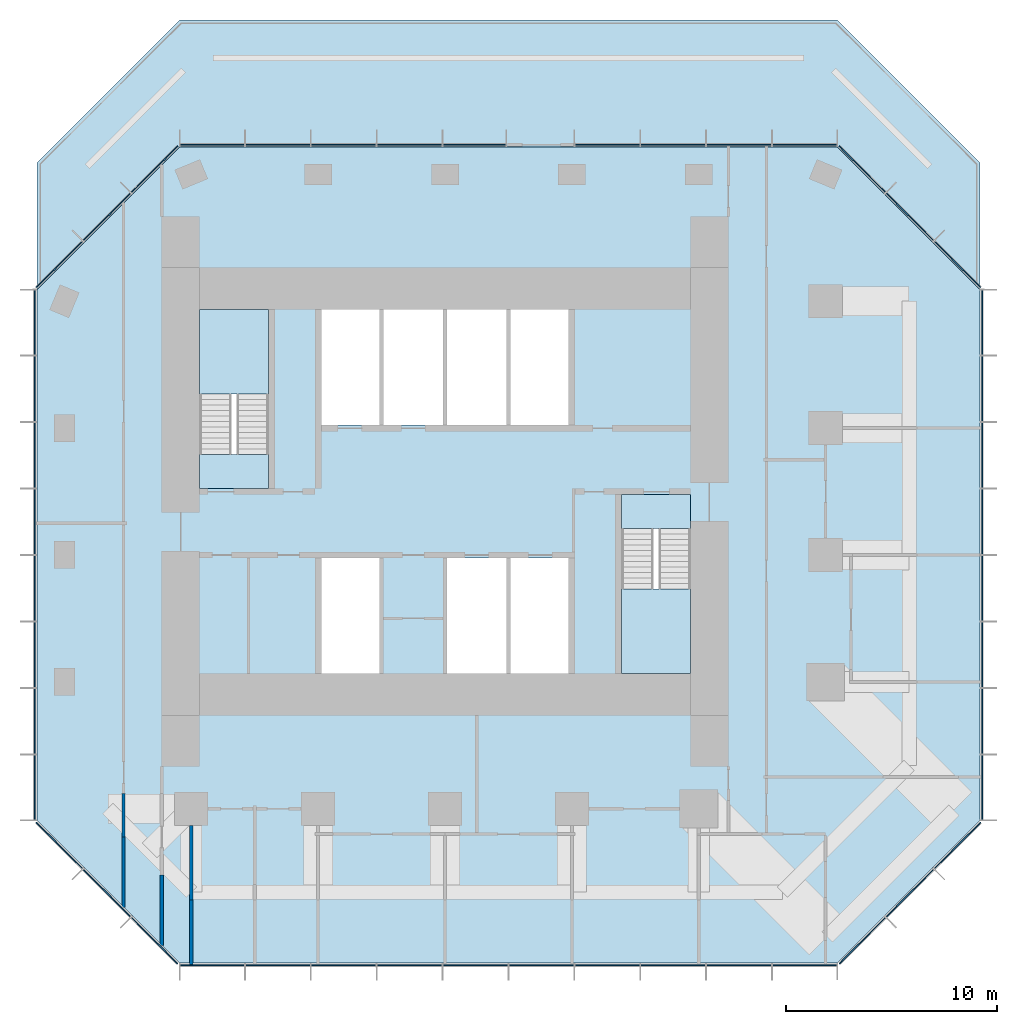
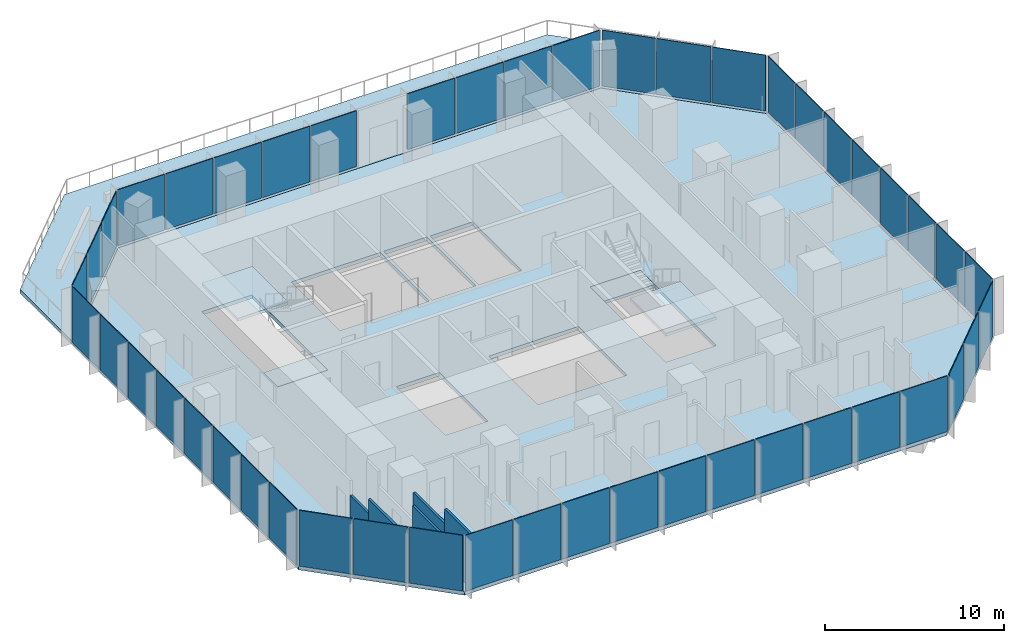
# One storey, part 7 of 11: 47 plates, 6 slabs, 5 walls, 11 elements without a shape of their own.
"""IFC4 building model written with IfcOpenShell, lengths in metres."""

from ifc_helpers import new_model, si_unit, direction, frame, frame_2d, origin, origin_2d, place, context, subcontext, project, spatial, polyline, rectangle, outline, extrude, material, layer, layer_set, type_object, element, aggregate, save


model = new_model("IFC4")

# Units and contexts
model_context = context("Model", 3, precision=1e-05, world=origin(), true_north=direction((0.0, 1.0)))
body_context = subcontext(model_context, "Body", "Model", "MODEL_VIEW")
ifc_project = project(units=[si_unit("LENGTHUNIT", "METRE"), si_unit("AREAUNIT", "SQUARE_METRE"), si_unit("VOLUMEUNIT", "CUBIC_METRE"), si_unit("PLANEANGLEUNIT", "RADIAN"), si_unit("MASSUNIT", "GRAM", prefix="KILO")], contexts=[model_context])

# Site, building, storey
site_placement = place(None, origin())
site = spatial("IfcSite", under=ifc_project, at=site_placement, CompositionType="ELEMENT")
building_placement = place(site_placement, origin())
building = spatial("IfcBuilding", under=site, at=building_placement, Name="Highveld Stack Headquarters", CompositionType="ELEMENT")
storey_placement = place(building_placement, frame((0.0, 0.0, 268.39990234375)))
storey = spatial("IfcBuildingStorey", under=building, at=storey_placement, Name="L66", CompositionType="ELEMENT", Elevation=268.39990234375)

# Curtain wall, plates
ifc_material_1 = material(Name="Aluminium bronze anodised", Category="aluminium")
ifc_layer_1 = layer(ifc_material_1, 0.199951171875)
ifc_layer_set_1 = layer_set([ifc_layer_1], Name="Aluminium bronze anodised")
curtain_wall_type = type_object("IfcCurtainWallType", Name="CW5 EXECUTIVE UNITISED CURTAIN WALL", PredefinedType="NOTDEFINED", material=ifc_layer_set_1)
curtain_wall_1_placement = place(storey_placement, origin())
curtain_wall_1 = element("IfcCurtainWall", 1, at=curtain_wall_1_placement, inside=storey, type_object=curtain_wall_type, Name="Curtain wall CW5 L66 S", PredefinedType="NOTDEFINED")
ifc_material_2 = material(Name="Glass bronze tinted triple glazed unit", Category="glass")
ifc_layer_2 = layer(ifc_material_2, 0.050048828125)
ifc_layer_set_2 = layer_set([ifc_layer_2], Name="Glass bronze tinted triple glazed unit")
plate_type = type_object("IfcPlateType", Name="CW5 PANEL BRONZE TINTED TRIPLE GLAZED UNIT", PredefinedType="CURTAIN_PANEL", material=ifc_layer_set_2)
plate_1_placement = place(storey_placement, frame((-5.005615234375, -19.39990234375, 0.10009765625), z_axis=(0.0, 0.0, 1.0), x_axis=(1.0, 0.0, 0.0)))
plate_1 = element("IfcPlate", 2, at=plate_1_placement, type_object=plate_type, Name="CW5 panel L66 1.1", PredefinedType="CURTAIN_PANEL", context=body_context, shape_type="SweptSolid", body=[
    extrude(rectangle(XDim=3.0185546875, YDim=0.050048828125, at=origin_2d()), origin(), (0.0, 0.0, 1.0), 3.800048828125),
])
plate_2_placement = place(storey_placement, frame((-1.906005859375, -19.39990234375, 0.10009765625), z_axis=(0.0, 0.0, 1.0), x_axis=(1.0, 0.0, 0.0)))
plate_2 = element("IfcPlate", 3, at=plate_2_placement, type_object=plate_type, Name="CW5 panel L66 2.1", PredefinedType="CURTAIN_PANEL", context=body_context, shape_type="SweptSolid", body=[
    extrude(rectangle(XDim=3.051025390625, YDim=0.050048828125, at=origin_2d()), origin(), (0.0, 0.0, 1.0), 3.800048828125),
])
plate_3_placement = place(storey_placement, frame((1.2099609375, -19.39990234375, 0.10009765625), z_axis=(0.0, 0.0, 1.0), x_axis=(1.0, 0.0, 0.0)))
plate_3 = element("IfcPlate", 4, at=plate_3_placement, type_object=plate_type, Name="CW5 panel L66 3.1", PredefinedType="CURTAIN_PANEL", context=body_context, shape_type="SweptSolid", body=[
    extrude(rectangle(XDim=3.051025390625, YDim=0.050048828125, at=origin_2d()), origin(), (0.0, 0.0, 1.0), 3.800048828125),
])
plate_4_placement = place(storey_placement, frame((4.325927734375, -19.39990234375, 0.10009765625), z_axis=(0.0, 0.0, 1.0), x_axis=(1.0, 0.0, 0.0)))
plate_4 = element("IfcPlate", 5, at=plate_4_placement, type_object=plate_type, Name="CW5 panel L66 4.1", PredefinedType="CURTAIN_PANEL", context=body_context, shape_type="SweptSolid", body=[
    extrude(rectangle(XDim=3.051025390625, YDim=0.050048828125, at=origin_2d()), origin(), (0.0, 0.0, 1.0), 3.800048828125),
])
plate_5_placement = place(storey_placement, frame((7.44189453125, -19.39990234375, 0.10009765625), z_axis=(0.0, 0.0, 1.0), x_axis=(1.0, 0.0, 0.0)))
plate_5 = element("IfcPlate", 6, at=plate_5_placement, type_object=plate_type, Name="CW5 panel L66 5.1", PredefinedType="CURTAIN_PANEL", context=body_context, shape_type="SweptSolid", body=[
    extrude(rectangle(XDim=3.051025390625, YDim=0.050048828125, at=origin_2d()), origin(), (0.0, 0.0, 1.0), 3.800048828125),
])
plate_6_placement = place(storey_placement, frame((10.55810546875, -19.39990234375, 0.10009765625), z_axis=(0.0, 0.0, 1.0), x_axis=(1.0, 0.0, 0.0)))
plate_6 = element("IfcPlate", 7, at=plate_6_placement, type_object=plate_type, Name="CW5 panel L66 6.1", PredefinedType="CURTAIN_PANEL", context=body_context, shape_type="SweptSolid", body=[
    extrude(rectangle(XDim=3.051025390625, YDim=0.050048828125, at=origin_2d()), origin(), (0.0, 0.0, 1.0), 3.800048828125),
])
plate_7_placement = place(storey_placement, frame((13.674072265625, -19.39990234375, 0.10009765625), z_axis=(0.0, 0.0, 1.0), x_axis=(1.0, 0.0, 0.0)))
plate_7 = element("IfcPlate", 8, at=plate_7_placement, type_object=plate_type, Name="CW5 panel L66 7.1", PredefinedType="CURTAIN_PANEL", context=body_context, shape_type="SweptSolid", body=[
    extrude(rectangle(XDim=3.051025390625, YDim=0.050048828125, at=origin_2d()), origin(), (0.0, 0.0, 1.0), 3.800048828125),
])
plate_8_placement = place(storey_placement, frame((16.789794921875, -19.39990234375, 0.10009765625), z_axis=(0.0, 0.0, 1.0), x_axis=(1.0, 0.0, 0.0)))
plate_8 = element("IfcPlate", 9, at=plate_8_placement, type_object=plate_type, Name="CW5 panel L66 8.1", PredefinedType="CURTAIN_PANEL", context=body_context, shape_type="SweptSolid", body=[
    extrude(rectangle(XDim=3.051025390625, YDim=0.050048828125, at=origin_2d()), origin(), (0.0, 0.0, 1.0), 3.800048828125),
])
plate_9_placement = place(storey_placement, frame((19.906005859375, -19.39990234375, 0.10009765625), z_axis=(0.0, 0.0, 1.0), x_axis=(1.0, 0.0, 0.0)))
plate_9 = element("IfcPlate", 10, at=plate_9_placement, type_object=plate_type, Name="CW5 panel L66 9.1", PredefinedType="CURTAIN_PANEL", context=body_context, shape_type="SweptSolid", body=[
    extrude(rectangle(XDim=3.051025390625, YDim=0.050048828125, at=origin_2d()), origin(), (0.0, 0.0, 1.0), 3.800048828125),
])
plate_10_placement = place(storey_placement, frame((23.005615234375, -19.39990234375, 0.10009765625), z_axis=(0.0, 0.0, 1.0), x_axis=(1.0, 0.0, 0.0)))
plate_10 = element("IfcPlate", 11, at=plate_10_placement, type_object=plate_type, Name="CW5 panel L66 10.1", PredefinedType="CURTAIN_PANEL", context=body_context, shape_type="SweptSolid", body=[
    extrude(rectangle(XDim=3.0185546875, YDim=0.050048828125, at=origin_2d()), origin(), (0.0, 0.0, 1.0), 3.800048828125),
])
aggregate(curtain_wall_1, [plate_1, plate_2, plate_3, plate_4, plate_5, plate_6, plate_7, plate_8, plate_9, plate_10])

curtain_wall_2_placement = place(storey_placement, origin())
curtain_wall_2 = element("IfcCurtainWall", 12, at=curtain_wall_2_placement, inside=storey, type_object=curtain_wall_type, Name="Curtain wall CW5 L66 SE", PredefinedType="NOTDEFINED")
plate_11_placement = place(storey_placement, frame((25.740478515625, -18.239501953125, 0.10009765625), z_axis=(0.0, 0.0, 1.0), x_axis=(0.707106781187, 0.707106781187, 0.0)))
plate_11 = element("IfcPlate", 13, at=plate_11_placement, type_object=plate_type, Name="CW5 panel L66 1.1", PredefinedType="CURTAIN_PANEL", context=body_context, shape_type="SweptSolid", body=[
    extrude(rectangle(XDim=3.08251953125, YDim=0.050048828125, at=origin_2d()), origin(), (0.0, 0.0, 1.0), 3.800048828125),
])
plate_12_placement = place(storey_placement, frame((27.989990234375, -15.989990234375, 0.10009765625), z_axis=(0.0, 0.0, 1.0), x_axis=(0.707106781187, 0.707106781187, 0.0)))
plate_12 = element("IfcPlate", 14, at=plate_12_placement, type_object=plate_type, Name="CW5 panel L66 2.1", PredefinedType="CURTAIN_PANEL", context=body_context, shape_type="SweptSolid", body=[
    extrude(rectangle(XDim=3.14990234375, YDim=0.050048828125, at=origin_2d()), origin(), (0.0, 0.0, 1.0), 3.800048828125),
])
plate_13_placement = place(storey_placement, frame((30.239501953125, -13.740478515625, 0.10009765625), z_axis=(0.0, 0.0, 1.0), x_axis=(0.707106781187, 0.707106781187, 0.0)))
plate_13 = element("IfcPlate", 15, at=plate_13_placement, type_object=plate_type, Name="CW5 panel L66 3.1", PredefinedType="CURTAIN_PANEL", context=body_context, shape_type="SweptSolid", body=[
    extrude(rectangle(XDim=3.08251953125, YDim=0.050048828125, at=origin_2d()), origin(), (0.0, 0.0, 1.0), 3.800048828125),
])
aggregate(curtain_wall_2, [plate_11, plate_12, plate_13])

curtain_wall_3_placement = place(storey_placement, origin())
curtain_wall_3 = element("IfcCurtainWall", 16, at=curtain_wall_3_placement, inside=storey, type_object=curtain_wall_type, Name="Curtain wall CW5 L66 E", PredefinedType="NOTDEFINED")
plate_14_placement = place(storey_placement, frame((31.39990234375, -10.9912109375, 0.10009765625), z_axis=(0.0, 0.0, 1.0), x_axis=(0.0, 1.0, 0.0)))
plate_14 = element("IfcPlate", 17, at=plate_14_placement, type_object=plate_type, Name="CW5 panel L66 1.1", PredefinedType="CURTAIN_PANEL", context=body_context, shape_type="SweptSolid", body=[
    extrude(rectangle(XDim=3.047607421875, YDim=0.050048828125, at=origin_2d()), origin(), (0.0, 0.0, 1.0), 3.800048828125),
])
plate_15_placement = place(storey_placement, frame((31.39990234375, -7.8623046875, 0.10009765625), z_axis=(0.0, 0.0, 1.0), x_axis=(0.0, 1.0, 0.0)))
plate_15 = element("IfcPlate", 18, at=plate_15_placement, type_object=plate_type, Name="CW5 panel L66 2.1", PredefinedType="CURTAIN_PANEL", context=body_context, shape_type="SweptSolid", body=[
    extrude(rectangle(XDim=3.080078125, YDim=0.050048828125, at=origin_2d()), origin(), (0.0, 0.0, 1.0), 3.800048828125),
])
plate_16_placement = place(storey_placement, frame((31.39990234375, -4.717529296875, 0.10009765625), z_axis=(0.0, 0.0, 1.0), x_axis=(0.0, 1.0, 0.0)))
plate_16 = element("IfcPlate", 19, at=plate_16_placement, type_object=plate_type, Name="CW5 panel L66 3.1", PredefinedType="CURTAIN_PANEL", context=body_context, shape_type="SweptSolid", body=[
    extrude(rectangle(XDim=3.080078125, YDim=0.050048828125, at=origin_2d()), origin(), (0.0, 0.0, 1.0), 3.800048828125),
])
plate_17_placement = place(storey_placement, frame((31.39990234375, -1.572509765625, 0.10009765625), z_axis=(0.0, 0.0, 1.0), x_axis=(0.0, 1.0, 0.0)))
plate_17 = element("IfcPlate", 20, at=plate_17_placement, type_object=plate_type, Name="CW5 panel L66 4.1", PredefinedType="CURTAIN_PANEL", context=body_context, shape_type="SweptSolid", body=[
    extrude(rectangle(XDim=3.080078125, YDim=0.050048828125, at=origin_2d()), origin(), (0.0, 0.0, 1.0), 3.800048828125),
])
plate_18_placement = place(storey_placement, frame((31.39990234375, 1.572509765625, 0.10009765625), z_axis=(0.0, 0.0, 1.0), x_axis=(0.0, 1.0, 0.0)))
plate_18 = element("IfcPlate", 21, at=plate_18_placement, type_object=plate_type, Name="CW5 panel L66 5.1", PredefinedType="CURTAIN_PANEL", context=body_context, shape_type="SweptSolid", body=[
    extrude(rectangle(XDim=3.080078125, YDim=0.050048828125, at=origin_2d()), origin(), (0.0, 0.0, 1.0), 3.800048828125),
])
plate_19_placement = place(storey_placement, frame((31.39990234375, 4.717529296875, 0.10009765625), z_axis=(0.0, 0.0, 1.0), x_axis=(0.0, 1.0, 0.0)))
plate_19 = element("IfcPlate", 22, at=plate_19_placement, type_object=plate_type, Name="CW5 panel L66 6.1", PredefinedType="CURTAIN_PANEL", context=body_context, shape_type="SweptSolid", body=[
    extrude(rectangle(XDim=3.080078125, YDim=0.050048828125, at=origin_2d()), origin(), (0.0, 0.0, 1.0), 3.800048828125),
])
plate_20_placement = place(storey_placement, frame((31.39990234375, 7.8623046875, 0.10009765625), z_axis=(0.0, 0.0, 1.0), x_axis=(0.0, 1.0, 0.0)))
plate_20 = element("IfcPlate", 23, at=plate_20_placement, type_object=plate_type, Name="CW5 panel L66 7.1", PredefinedType="CURTAIN_PANEL", context=body_context, shape_type="SweptSolid", body=[
    extrude(rectangle(XDim=3.080078125, YDim=0.050048828125, at=origin_2d()), origin(), (0.0, 0.0, 1.0), 3.800048828125),
])
plate_21_placement = place(storey_placement, frame((31.39990234375, 10.9912109375, 0.10009765625), z_axis=(0.0, 0.0, 1.0), x_axis=(0.0, 1.0, 0.0)))
plate_21 = element("IfcPlate", 24, at=plate_21_placement, type_object=plate_type, Name="CW5 panel L66 8.1", PredefinedType="CURTAIN_PANEL", context=body_context, shape_type="SweptSolid", body=[
    extrude(rectangle(XDim=3.047607421875, YDim=0.050048828125, at=origin_2d()), origin(), (0.0, 0.0, 1.0), 3.800048828125),
])
aggregate(curtain_wall_3, [plate_14, plate_15, plate_16, plate_17, plate_18, plate_19, plate_20, plate_21])

curtain_wall_4_placement = place(storey_placement, origin())
curtain_wall_4 = element("IfcCurtainWall", 25, at=curtain_wall_4_placement, inside=storey, type_object=curtain_wall_type, Name="Curtain wall CW5 L66 NE", PredefinedType="NOTDEFINED")
plate_22_placement = place(storey_placement, frame((30.239501953125, 13.740478515625, 0.10009765625), z_axis=(0.0, 0.0, 1.0), x_axis=(-0.707106781187, 0.707106781187, 0.0)))
plate_22 = element("IfcPlate", 26, at=plate_22_placement, type_object=plate_type, Name="CW5 panel L66 1.1", PredefinedType="CURTAIN_PANEL", context=body_context, shape_type="SweptSolid", body=[
    extrude(rectangle(XDim=3.08251953125, YDim=0.050048828125, at=origin_2d()), origin(), (0.0, 0.0, 1.0), 3.800048828125),
])
plate_23_placement = place(storey_placement, frame((27.989990234375, 15.989990234375, 0.10009765625), z_axis=(0.0, 0.0, 1.0), x_axis=(-0.707106781187, 0.707106781187, 0.0)))
plate_23 = element("IfcPlate", 27, at=plate_23_placement, type_object=plate_type, Name="CW5 panel L66 2.1", PredefinedType="CURTAIN_PANEL", context=body_context, shape_type="SweptSolid", body=[
    extrude(rectangle(XDim=3.14990234375, YDim=0.050048828125, at=origin_2d()), origin(), (0.0, 0.0, 1.0), 3.800048828125),
])
plate_24_placement = place(storey_placement, frame((25.740478515625, 18.239501953125, 0.10009765625), z_axis=(0.0, 0.0, 1.0), x_axis=(-0.707106781187, 0.707106781187, 0.0)))
plate_24 = element("IfcPlate", 28, at=plate_24_placement, type_object=plate_type, Name="CW5 panel L66 3.1", PredefinedType="CURTAIN_PANEL", context=body_context, shape_type="SweptSolid", body=[
    extrude(rectangle(XDim=3.08251953125, YDim=0.050048828125, at=origin_2d()), origin(), (0.0, 0.0, 1.0), 3.800048828125),
])
aggregate(curtain_wall_4, [plate_22, plate_23, plate_24])

curtain_wall_5_placement = place(storey_placement, origin())
curtain_wall_5 = element("IfcCurtainWall", 29, at=curtain_wall_5_placement, inside=storey, type_object=curtain_wall_type, Name="Curtain wall CW5 L66 N-1", PredefinedType="NOTDEFINED")
plate_25_placement = place(storey_placement, frame((23.005615234375, 19.39990234375, 0.10009765625), z_axis=(0.0, 0.0, 1.0), x_axis=(-1.0, 0.0, 0.0)))
plate_25 = element("IfcPlate", 30, at=plate_25_placement, type_object=plate_type, Name="CW5 panel L66 1.1", PredefinedType="CURTAIN_PANEL", context=body_context, shape_type="SweptSolid", body=[
    extrude(rectangle(XDim=3.0185546875, YDim=0.050048828125, at=origin_2d()), origin(), (0.0, 0.0, 1.0), 3.800048828125),
])
plate_26_placement = place(storey_placement, frame((19.906005859375, 19.39990234375, 0.10009765625), z_axis=(0.0, 0.0, 1.0), x_axis=(-1.0, 0.0, 0.0)))
plate_26 = element("IfcPlate", 31, at=plate_26_placement, type_object=plate_type, Name="CW5 panel L66 2.1", PredefinedType="CURTAIN_PANEL", context=body_context, shape_type="SweptSolid", body=[
    extrude(rectangle(XDim=3.051025390625, YDim=0.050048828125, at=origin_2d()), origin(), (0.0, 0.0, 1.0), 3.800048828125),
])
plate_27_placement = place(storey_placement, frame((16.7900390625, 19.39990234375, 0.10009765625), z_axis=(0.0, 0.0, 1.0), x_axis=(-1.0, 0.0, 0.0)))
plate_27 = element("IfcPlate", 32, at=plate_27_placement, type_object=plate_type, Name="CW5 panel L66 3.1", PredefinedType="CURTAIN_PANEL", context=body_context, shape_type="SweptSolid", body=[
    extrude(rectangle(XDim=3.051025390625, YDim=0.050048828125, at=origin_2d()), origin(), (0.0, 0.0, 1.0), 3.800048828125),
])
plate_28_placement = place(storey_placement, frame((13.674072265625, 19.39990234375, 0.10009765625), z_axis=(0.0, 0.0, 1.0), x_axis=(-1.0, 0.0, 0.0)))
plate_28 = element("IfcPlate", 33, at=plate_28_placement, type_object=plate_type, Name="CW5 panel L66 4.1", PredefinedType="CURTAIN_PANEL", context=body_context, shape_type="SweptSolid", body=[
    extrude(rectangle(XDim=3.051025390625, YDim=0.050048828125, at=origin_2d()), origin(), (0.0, 0.0, 1.0), 3.800048828125),
])
aggregate(curtain_wall_5, [plate_25, plate_26, plate_27, plate_28])

curtain_wall_6_placement = place(storey_placement, origin())
curtain_wall_6 = element("IfcCurtainWall", 34, at=curtain_wall_6_placement, inside=storey, type_object=curtain_wall_type, Name="Curtain wall CW5 L66 N-2", PredefinedType="NOTDEFINED")
plate_29_placement = place(storey_placement, frame((7.38818359375, 19.39990234375, 0.10009765625), z_axis=(0.0, 0.0, 1.0), x_axis=(-1.0, 0.0, 0.0)))
plate_29 = element("IfcPlate", 35, at=plate_29_placement, type_object=plate_type, Name="CW5 panel L66 6.1", PredefinedType="CURTAIN_PANEL", context=body_context, shape_type="SweptSolid", body=[
    extrude(rectangle(XDim=2.943603515625, YDim=0.050048828125, at=origin_2d()), origin(), (0.0, 0.0, 1.0), 3.800048828125),
])
plate_30_placement = place(storey_placement, frame((4.325927734375, 19.39990234375, 0.10009765625), z_axis=(0.0, 0.0, 1.0), x_axis=(-1.0, 0.0, 0.0)))
plate_30 = element("IfcPlate", 36, at=plate_30_placement, type_object=plate_type, Name="CW5 panel L66 7.1", PredefinedType="CURTAIN_PANEL", context=body_context, shape_type="SweptSolid", body=[
    extrude(rectangle(XDim=3.051025390625, YDim=0.050048828125, at=origin_2d()), origin(), (0.0, 0.0, 1.0), 3.800048828125),
])
plate_31_placement = place(storey_placement, frame((1.210205078125, 19.39990234375, 0.10009765625), z_axis=(0.0, 0.0, 1.0), x_axis=(-1.0, 0.0, 0.0)))
plate_31 = element("IfcPlate", 37, at=plate_31_placement, type_object=plate_type, Name="CW5 panel L66 8.1", PredefinedType="CURTAIN_PANEL", context=body_context, shape_type="SweptSolid", body=[
    extrude(rectangle(XDim=3.051025390625, YDim=0.050048828125, at=origin_2d()), origin(), (0.0, 0.0, 1.0), 3.800048828125),
])
plate_32_placement = place(storey_placement, frame((-1.906005859375, 19.39990234375, 0.10009765625), z_axis=(0.0, 0.0, 1.0), x_axis=(-1.0, 0.0, 0.0)))
plate_32 = element("IfcPlate", 38, at=plate_32_placement, type_object=plate_type, Name="CW5 panel L66 9.1", PredefinedType="CURTAIN_PANEL", context=body_context, shape_type="SweptSolid", body=[
    extrude(rectangle(XDim=3.051025390625, YDim=0.050048828125, at=origin_2d()), origin(), (0.0, 0.0, 1.0), 3.800048828125),
])
plate_33_placement = place(storey_placement, frame((-5.005615234375, 19.39990234375, 0.10009765625), z_axis=(0.0, 0.0, 1.0), x_axis=(-1.0, 0.0, 0.0)))
plate_33 = element("IfcPlate", 39, at=plate_33_placement, type_object=plate_type, Name="CW5 panel L66 10.1", PredefinedType="CURTAIN_PANEL", context=body_context, shape_type="SweptSolid", body=[
    extrude(rectangle(XDim=3.0185546875, YDim=0.050048828125, at=origin_2d()), origin(), (0.0, 0.0, 1.0), 3.800048828125),
])
aggregate(curtain_wall_6, [plate_29, plate_30, plate_31, plate_32, plate_33])

curtain_wall_7_placement = place(storey_placement, origin())
curtain_wall_7 = element("IfcCurtainWall", 40, at=curtain_wall_7_placement, inside=storey, type_object=curtain_wall_type, Name="Curtain wall CW5 L66 NW", PredefinedType="NOTDEFINED")
plate_34_placement = place(storey_placement, frame((-7.740478515625, 18.239501953125, 0.10009765625), z_axis=(0.0, 0.0, 1.0), x_axis=(-0.707106781187, -0.707106781187, 0.0)))
plate_34 = element("IfcPlate", 41, at=plate_34_placement, type_object=plate_type, Name="CW5 panel L66 1.1", PredefinedType="CURTAIN_PANEL", context=body_context, shape_type="SweptSolid", body=[
    extrude(rectangle(XDim=3.08251953125, YDim=0.050048828125, at=origin_2d()), origin(), (0.0, 0.0, 1.0), 3.800048828125),
])
plate_35_placement = place(storey_placement, frame((-9.989990234375, 15.989990234375, 0.10009765625), z_axis=(0.0, 0.0, 1.0), x_axis=(-0.707106781187, -0.707106781187, 0.0)))
plate_35 = element("IfcPlate", 42, at=plate_35_placement, type_object=plate_type, Name="CW5 panel L66 2.1", PredefinedType="CURTAIN_PANEL", context=body_context, shape_type="SweptSolid", body=[
    extrude(rectangle(XDim=3.14990234375, YDim=0.050048828125, at=origin_2d()), origin(), (0.0, 0.0, 1.0), 3.800048828125),
])
plate_36_placement = place(storey_placement, frame((-12.239501953125, 13.740478515625, 0.10009765625), z_axis=(0.0, 0.0, 1.0), x_axis=(-0.707106781187, -0.707106781187, 0.0)))
plate_36 = element("IfcPlate", 43, at=plate_36_placement, type_object=plate_type, Name="CW5 panel L66 3.1", PredefinedType="CURTAIN_PANEL", context=body_context, shape_type="SweptSolid", body=[
    extrude(rectangle(XDim=3.08251953125, YDim=0.050048828125, at=origin_2d()), origin(), (0.0, 0.0, 1.0), 3.800048828125),
])
aggregate(curtain_wall_7, [plate_34, plate_35, plate_36])

curtain_wall_8_placement = place(storey_placement, origin())
curtain_wall_8 = element("IfcCurtainWall", 44, at=curtain_wall_8_placement, inside=storey, type_object=curtain_wall_type, Name="Curtain wall CW5 L66 W", PredefinedType="NOTDEFINED")
plate_37_placement = place(storey_placement, frame((-13.39990234375, 10.9912109375, 0.10009765625), z_axis=(0.0, 0.0, 1.0), x_axis=(0.0, -1.0, 0.0)))
plate_37 = element("IfcPlate", 45, at=plate_37_placement, type_object=plate_type, Name="CW5 panel L66 1.1", PredefinedType="CURTAIN_PANEL", context=body_context, shape_type="SweptSolid", body=[
    extrude(rectangle(XDim=3.047607421875, YDim=0.050048828125, at=origin_2d()), origin(), (0.0, 0.0, 1.0), 3.800048828125),
])
plate_38_placement = place(storey_placement, frame((-13.39990234375, 7.8623046875, 0.10009765625), z_axis=(0.0, 0.0, 1.0), x_axis=(0.0, -1.0, 0.0)))
plate_38 = element("IfcPlate", 46, at=plate_38_placement, type_object=plate_type, Name="CW5 panel L66 2.1", PredefinedType="CURTAIN_PANEL", context=body_context, shape_type="SweptSolid", body=[
    extrude(rectangle(XDim=3.080078125, YDim=0.050048828125, at=origin_2d()), origin(), (0.0, 0.0, 1.0), 3.800048828125),
])
plate_39_placement = place(storey_placement, frame((-13.39990234375, 4.717529296875, 0.10009765625), z_axis=(0.0, 0.0, 1.0), x_axis=(0.0, -1.0, 0.0)))
plate_39 = element("IfcPlate", 47, at=plate_39_placement, type_object=plate_type, Name="CW5 panel L66 3.1", PredefinedType="CURTAIN_PANEL", context=body_context, shape_type="SweptSolid", body=[
    extrude(rectangle(XDim=3.080078125, YDim=0.050048828125, at=origin_2d()), origin(), (0.0, 0.0, 1.0), 3.800048828125),
])
plate_40_placement = place(storey_placement, frame((-13.39990234375, 1.572509765625, 0.10009765625), z_axis=(0.0, 0.0, 1.0), x_axis=(0.0, -1.0, 0.0)))
plate_40 = element("IfcPlate", 48, at=plate_40_placement, type_object=plate_type, Name="CW5 panel L66 4.1", PredefinedType="CURTAIN_PANEL", context=body_context, shape_type="SweptSolid", body=[
    extrude(rectangle(XDim=3.080078125, YDim=0.050048828125, at=origin_2d()), origin(), (0.0, 0.0, 1.0), 3.800048828125),
])
plate_41_placement = place(storey_placement, frame((-13.39990234375, -1.572509765625, 0.10009765625), z_axis=(0.0, 0.0, 1.0), x_axis=(0.0, -1.0, 0.0)))
plate_41 = element("IfcPlate", 49, at=plate_41_placement, type_object=plate_type, Name="CW5 panel L66 5.1", PredefinedType="CURTAIN_PANEL", context=body_context, shape_type="SweptSolid", body=[
    extrude(rectangle(XDim=3.080078125, YDim=0.050048828125, at=origin_2d()), origin(), (0.0, 0.0, 1.0), 3.800048828125),
])
plate_42_placement = place(storey_placement, frame((-13.39990234375, -4.717529296875, 0.10009765625), z_axis=(0.0, 0.0, 1.0), x_axis=(0.0, -1.0, 0.0)))
plate_42 = element("IfcPlate", 50, at=plate_42_placement, type_object=plate_type, Name="CW5 panel L66 6.1", PredefinedType="CURTAIN_PANEL", context=body_context, shape_type="SweptSolid", body=[
    extrude(rectangle(XDim=3.080078125, YDim=0.050048828125, at=origin_2d()), origin(), (0.0, 0.0, 1.0), 3.800048828125),
])
plate_43_placement = place(storey_placement, frame((-13.39990234375, -7.8623046875, 0.10009765625), z_axis=(0.0, 0.0, 1.0), x_axis=(0.0, -1.0, 0.0)))
plate_43 = element("IfcPlate", 51, at=plate_43_placement, type_object=plate_type, Name="CW5 panel L66 7.1", PredefinedType="CURTAIN_PANEL", context=body_context, shape_type="SweptSolid", body=[
    extrude(rectangle(XDim=3.080078125, YDim=0.050048828125, at=origin_2d()), origin(), (0.0, 0.0, 1.0), 3.800048828125),
])
plate_44_placement = place(storey_placement, frame((-13.39990234375, -10.9912109375, 0.10009765625), z_axis=(0.0, 0.0, 1.0), x_axis=(0.0, -1.0, 0.0)))
plate_44 = element("IfcPlate", 52, at=plate_44_placement, type_object=plate_type, Name="CW5 panel L66 8.1", PredefinedType="CURTAIN_PANEL", context=body_context, shape_type="SweptSolid", body=[
    extrude(rectangle(XDim=3.047607421875, YDim=0.050048828125, at=origin_2d()), origin(), (0.0, 0.0, 1.0), 3.800048828125),
])
aggregate(curtain_wall_8, [plate_37, plate_38, plate_39, plate_40, plate_41, plate_42, plate_43, plate_44])

curtain_wall_9_placement = place(storey_placement, origin())
curtain_wall_9 = element("IfcCurtainWall", 53, at=curtain_wall_9_placement, inside=storey, type_object=curtain_wall_type, Name="Curtain wall CW5 L66 SW", PredefinedType="NOTDEFINED")
plate_45_placement = place(storey_placement, frame((-12.239501953125, -13.740478515625, 0.10009765625), z_axis=(0.0, 0.0, 1.0), x_axis=(0.707106781187, -0.707106781187, 0.0)))
plate_45 = element("IfcPlate", 54, at=plate_45_placement, type_object=plate_type, Name="CW5 panel L66 1.1", PredefinedType="CURTAIN_PANEL", context=body_context, shape_type="SweptSolid", body=[
    extrude(rectangle(XDim=3.08251953125, YDim=0.050048828125, at=origin_2d()), origin(), (0.0, 0.0, 1.0), 3.800048828125),
])
plate_46_placement = place(storey_placement, frame((-9.989990234375, -15.989990234375, 0.10009765625), z_axis=(0.0, 0.0, 1.0), x_axis=(0.707106781187, -0.707106781187, 0.0)))
plate_46 = element("IfcPlate", 55, at=plate_46_placement, type_object=plate_type, Name="CW5 panel L66 2.1", PredefinedType="CURTAIN_PANEL", context=body_context, shape_type="SweptSolid", body=[
    extrude(rectangle(XDim=3.14990234375, YDim=0.050048828125, at=origin_2d()), origin(), (0.0, 0.0, 1.0), 3.800048828125),
])
plate_47_placement = place(storey_placement, frame((-7.740478515625, -18.239501953125, 0.10009765625), z_axis=(0.0, 0.0, 1.0), x_axis=(0.707106781187, -0.707106781187, 0.0)))
plate_47 = element("IfcPlate", 56, at=plate_47_placement, type_object=plate_type, Name="CW5 panel L66 3.1", PredefinedType="CURTAIN_PANEL", context=body_context, shape_type="SweptSolid", body=[
    extrude(rectangle(XDim=3.08251953125, YDim=0.050048828125, at=origin_2d()), origin(), (0.0, 0.0, 1.0), 3.800048828125),
])
aggregate(curtain_wall_9, [plate_45, plate_46, plate_47])

# Slab
ifc_material_3 = material(Name="Concrete C60/75", Category="concrete")
ifc_layer_3 = layer(ifc_material_3, 0.25)
ifc_layer_set_3 = layer_set([ifc_layer_3], Name="Concrete C60/75")
slab_type_1 = type_object("IfcSlabType", Name="PT FLAT SLAB 250", PredefinedType="FLOOR", material=ifc_layer_set_3)
slab_1_placement = place(storey_placement, frame((0.0, 0.0, -0.25)))
element("IfcSlab", 57, at=slab_1_placement, inside=storey, type_object=slab_type_1, Name="Floor slab L66", PredefinedType="FLOOR", context=body_context, shape_type="SweptSolid", body=[
    extrude(outline(polyline([(-6.53857421875, -19.300048828125), (24.53857421875, -19.300048828125), (31.300048828125, -12.53857421875), (31.300048828125, 12.53857421875), (24.53857421875, 19.300048828125), (-6.53857421875, 19.300048828125), (-13.300048828125, 12.53857421875), (-13.300048828125, -12.53857421875), (-6.53857421875, -19.300048828125)]), holes=[polyline([(0.14990234375, 6.14990234375), (5.89990234375, 6.14990234375), (5.89990234375, 11.60009765625), (0.14990234375, 11.60009765625), (0.14990234375, 6.14990234375)]), polyline([(9.10009765625, 6.14990234375), (11.85009765625, 6.14990234375), (11.85009765625, 11.60009765625), (9.10009765625, 11.60009765625), (9.10009765625, 6.14990234375)]), polyline([(6.10009765625, 6.14990234375), (8.89990234375, 6.14990234375), (8.89990234375, 11.60009765625), (6.10009765625, 11.60009765625), (6.10009765625, 6.14990234375)]), polyline([(6.10009765625, -5.60009765625), (11.85009765625, -5.60009765625), (11.85009765625, -0.14990234375), (6.10009765625, -0.14990234375), (6.10009765625, -5.60009765625)]), polyline([(0.14990234375, -5.60009765625), (2.89990234375, -5.60009765625), (2.89990234375, -0.14990234375), (0.14990234375, -0.14990234375), (0.14990234375, -5.60009765625)]), polyline([(-5.60009765625, 3.14990234375), (-2.35009765625, 3.14990234375), (-2.35009765625, 11.60009765625), (-5.60009765625, 11.60009765625), (-5.60009765625, 3.14990234375)]), polyline([(14.35009765625, -5.60009765625), (17.60009765625, -5.60009765625), (17.60009765625, 2.85009765625), (14.35009765625, 2.85009765625), (14.35009765625, -5.60009765625)])]), origin(), (0.0, 0.0, 1.0), 0.25),
])

# Stair, slabs
ifc_material_4 = material(Name="Concrete C40/50, precast", Category="concrete")
stair_type_1 = type_object("IfcStairType", Name="STAIR S1 HALF TURN 1500", PredefinedType="HALF_TURN_STAIR", material=ifc_material_4)
stair_1_placement = place(storey_placement, origin())
stair_1 = element("IfcStair", 58, at=stair_1_placement, inside=storey, type_object=stair_type_1, Name="Stair S1 L66", PredefinedType="HALF_TURN_STAIR")
ifc_material_5 = material(Name="Concrete C40/50, precast", Category="concrete")
ifc_layer_4 = layer(ifc_material_5, 0.199951171875)
ifc_layer_set_4 = layer_set([ifc_layer_4], Name="Concrete C40/50, precast")
slab_type_2 = type_object("IfcSlabType", Name="STAIR LANDING 200", PredefinedType="LANDING", material=ifc_layer_set_4)
slab_2_placement = place(storey_placement, frame((0.0, 0.0, 1.75)))
slab_2 = element("IfcSlab", 59, at=slab_2_placement, type_object=slab_type_2, Name="S1 landing 1", PredefinedType="LANDING", context=body_context, shape_type="SweptSolid", body=[
    extrude(outline(polyline([(-5.60009765625, 7.610107421875), (-2.35009765625, 7.610107421875), (-2.35009765625, 11.60009765625), (-5.60009765625, 11.60009765625), (-5.60009765625, 7.610107421875)])), origin(), (0.0, 0.0, 1.0), 0.2001953125),
])
slab_3_placement = place(storey_placement, frame((0.0, 0.0, -0.199951171875)))
slab_3 = element("IfcSlab", 60, at=slab_3_placement, type_object=slab_type_2, Name="S1 landing 2", PredefinedType="LANDING", context=body_context, shape_type="SweptSolid", body=[
    extrude(outline(polyline([(-5.60009765625, 3.14990234375), (-2.35009765625, 3.14990234375), (-2.35009765625, 4.75), (-5.60009765625, 4.75), (-5.60009765625, 3.14990234375)])), origin(), (0.0, 0.0, 1.0), 0.199951171875),
])
aggregate(stair_1, [slab_2, slab_3])

ifc_material_6 = material(Name="Concrete C40/50, precast", Category="concrete")
stair_type_2 = type_object("IfcStairType", Name="STAIR S2 HALF TURN 1500", PredefinedType="HALF_TURN_STAIR", material=ifc_material_6)
stair_2_placement = place(storey_placement, origin())
stair_2 = element("IfcStair", 61, at=stair_2_placement, inside=storey, type_object=stair_type_2, Name="Stair S2 L66", PredefinedType="HALF_TURN_STAIR")
slab_4_placement = place(storey_placement, frame((0.0, 0.0, 1.75)))
slab_4 = element("IfcSlab", 62, at=slab_4_placement, type_object=slab_type_2, Name="S2 landing 1", PredefinedType="LANDING", context=body_context, shape_type="SweptSolid", body=[
    extrude(outline(polyline([(14.35009765625, -5.60009765625), (17.60009765625, -5.60009765625), (17.60009765625, -1.610107421875), (14.35009765625, -1.610107421875), (14.35009765625, -5.60009765625)])), origin(), (0.0, 0.0, 1.0), 0.2001953125),
])
slab_5_placement = place(storey_placement, frame((0.0, 0.0, -0.199951171875)))
slab_5 = element("IfcSlab", 63, at=slab_5_placement, type_object=slab_type_2, Name="S2 landing 2", PredefinedType="LANDING", context=body_context, shape_type="SweptSolid", body=[
    extrude(outline(polyline([(14.35009765625, 1.25), (17.60009765625, 1.25), (17.60009765625, 2.85009765625), (14.35009765625, 2.85009765625), (14.35009765625, 1.25)])), origin(), (0.0, 0.0, 1.0), 0.199951171875),
])
aggregate(stair_2, [slab_4, slab_5])

# Slab
ifc_material_7 = material(Name="Concrete C60/75", Category="concrete")
ifc_layer_5 = layer(ifc_material_7, 0.25)
ifc_layer_set_5 = layer_set([ifc_layer_5], Name="Concrete C60/75")
slab_type_3 = type_object("IfcSlabType", Name="TERRACE SLAB 250", PredefinedType="FLOOR", material=ifc_layer_set_5)
slab_6_placement = place(storey_placement, frame((0.0, 0.0, -0.25)))
element("IfcSlab", 64, at=slab_6_placement, inside=storey, type_object=slab_type_3, Name="Planted terrace L66", PredefinedType="FLOOR", context=body_context, shape_type="SweptSolid", body=[
    extrude(outline(polyline([(-13.300048828125, 18.53857421875), (-6.53857421875, 25.300048828125), (24.53857421875, 25.300048828125), (31.300048828125, 18.53857421875), (31.300048828125, 12.53857421875), (24.53857421875, 19.300048828125), (-6.53857421875, 19.300048828125), (-13.300048828125, 12.53857421875), (-13.300048828125, 18.53857421875)])), origin(), (0.0, 0.0, 1.0), 0.25),
])

# Walls
ifc_material_8 = material(Name="Gypsum plasterboard on steel studs", Category="steel")
ifc_layer_6 = layer(ifc_material_8, 0.14990234375)
ifc_layer_set_6 = layer_set([ifc_layer_6], Name="Gypsum plasterboard on steel studs")
wall_type = type_object("IfcWallType", Name="PARTITION 150 PLASTERBOARD", PredefinedType="PARTITIONING", material=ifc_layer_set_6)
wall_1_placement = place(storey_placement, frame((-6.0, -19.375, 0.0), z_axis=(0.0, 0.0, 1.0), x_axis=(0.0, 1.0, 0.0)))
element("IfcWall", 65, at=wall_1_placement, inside=storey, type_object=wall_type, Name="Partition Office L66", PredefinedType="PARTITIONING", context=body_context, shape_type="SweptSolid", body=[
    extrude(rectangle(XDim=3.06494140625, YDim=0.14990234375, at=frame_2d((1.532470703125, 0.0))), origin(), (0.0, 0.0, 1.0), 3.650146484375),
])
wall_2_placement = place(storey_placement, frame((-6.0, -16.31005859375, 0.0), z_axis=(0.0, 0.0, 1.0), x_axis=(0.0, 1.0, 0.0)))
element("IfcWall", 66, at=wall_2_placement, inside=storey, type_object=wall_type, Name="Partition Office L66", PredefinedType="PARTITIONING", context=body_context, shape_type="SweptSolid", body=[
    extrude(rectangle(XDim=3.510009765625, YDim=0.14990234375, at=frame_2d((1.7548828125, 0.0))), origin(), (0.0, 0.0, 1.0), 2.650146484375),
])
wall_3_placement = place(storey_placement, frame((-9.199951171875, -16.6640625, 0.0), z_axis=(0.0, 0.0, 1.0), x_axis=(0.0, 1.0, 0.0)))
element("IfcWall", 67, at=wall_3_placement, inside=storey, type_object=wall_type, Name="Partition office neighbourhood L66", PredefinedType="PARTITIONING", context=body_context, shape_type="SweptSolid", body=[
    extrude(rectangle(XDim=3.323974609375, YDim=0.14990234375, at=frame_2d((1.662109375, 0.0))), origin(), (0.0, 0.0, 1.0), 3.650146484375),
])
wall_4_placement = place(storey_placement, frame((-9.199951171875, -13.340087890625, 0.0), z_axis=(0.0, 0.0, 1.0), x_axis=(0.0, 1.0, 0.0)))
element("IfcWall", 68, at=wall_4_placement, inside=storey, type_object=wall_type, Name="Partition office neighbourhood L66", PredefinedType="PARTITIONING", context=body_context, shape_type="SweptSolid", body=[
    extrude(rectangle(XDim=2.050048828125, YDim=0.14990234375, at=frame_2d((1.02490234375, 0.0))), origin(), (0.0, 0.0, 1.0), 2.650146484375),
])
wall_5_placement = place(storey_placement, frame((-7.39990234375, -18.464111328125, 0.0), z_axis=(0.0, 0.0, 1.0), x_axis=(0.0, 1.0, 0.0)))
element("IfcWall", 69, at=wall_5_placement, inside=storey, type_object=wall_type, Name="Partition office neighbourhood L66", PredefinedType="PARTITIONING", context=body_context, shape_type="SweptSolid", body=[
    extrude(rectangle(XDim=3.32421875, YDim=0.14990234375, at=frame_2d((1.662109375, 0.0))), origin(), (0.0, 0.0, 1.0), 3.650146484375),
])

save(model, "model.ifc")
